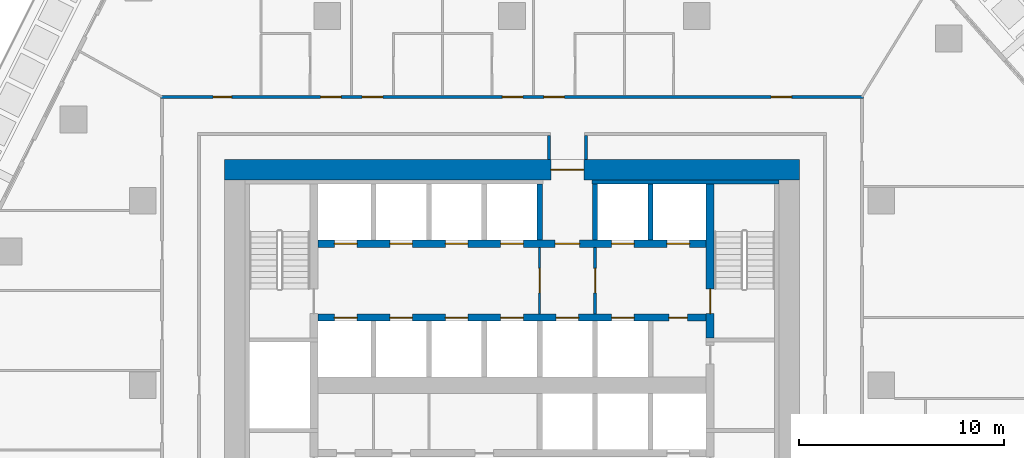
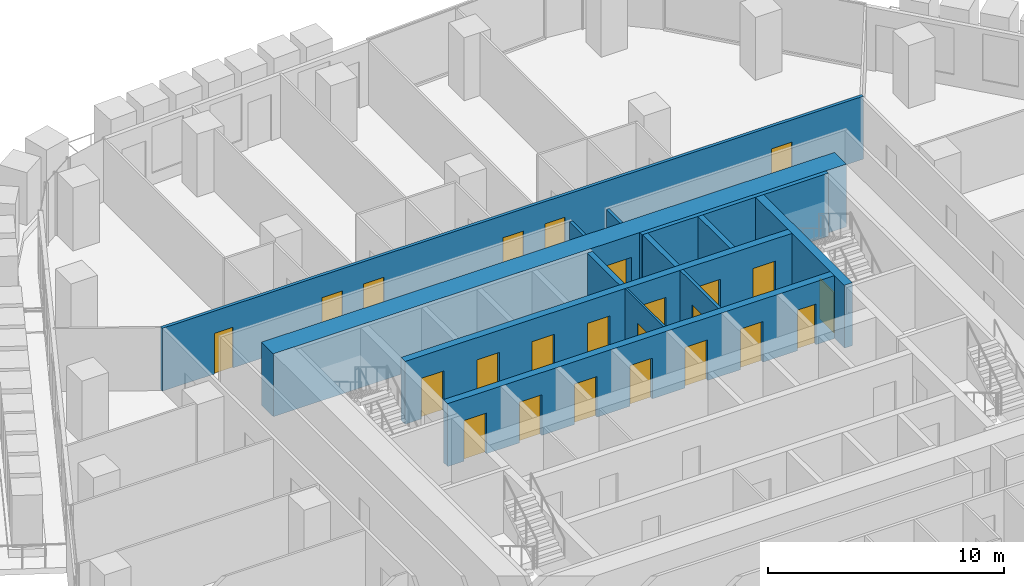
# One storey, part 16 of 24: 24 doors, 13 walls, 24 openings.
"""IFC4 building model written with IfcOpenShell, lengths in metres."""

from ifc_helpers import new_model, si_unit, direction, frame, frame_2d, origin, place, context, subcontext, project, spatial, rectangle, extrude, material, layer, layer_set, type_object, element, fill, save


model = new_model("IFC4")

# Units and contexts
model_context = context("Model", 3, precision=1e-05, world=origin(), true_north=direction((0.0, 1.0)))
body_context = subcontext(model_context, "Body", "Model", "MODEL_VIEW")
ifc_project = project(units=[si_unit("LENGTHUNIT", "METRE"), si_unit("AREAUNIT", "SQUARE_METRE"), si_unit("VOLUMEUNIT", "CUBIC_METRE"), si_unit("PLANEANGLEUNIT", "RADIAN"), si_unit("MASSUNIT", "GRAM", prefix="KILO")], contexts=[model_context])

# Site, building, storey
site_placement = place(None, origin())
site = spatial("IfcSite", under=ifc_project, at=site_placement, CompositionType="ELEMENT")
building_placement = place(site_placement, origin())
building = spatial("IfcBuilding", under=site, at=building_placement, Name="Dongbaek Canopy Tower", CompositionType="ELEMENT")
storey_placement = place(building_placement, frame((0.0, 0.0, 98.89990234375)))
storey = spatial("IfcBuildingStorey", under=building, at=storey_placement, Name="L20", CompositionType="ELEMENT", Elevation=98.89990234375)

# Wall, openings, doors
ifc_material_1 = material(Name="Concrete C60/75", Category="concrete")
ifc_layer_1 = layer(ifc_material_1, 0.35009765625)
ifc_layer_set_1 = layer_set([ifc_layer_1], Name="Core lobby wall 350 Concrete C60/75")
wall_type_1 = type_object("IfcWallType", Name="Core lobby wall 350 Concrete C60/75", PredefinedType="SHEAR", material=ifc_layer_set_1)
wall_1_placement = place(storey_placement, frame((-9.449951171875, 6.89990234375, 0.0), z_axis=(0.0, 0.0, 1.0), x_axis=(1.0, 0.0, 0.0)))
wall_1 = element("IfcWall", 1, at=wall_1_placement, inside=storey, type_object=wall_type_1, Name="Core wall", PredefinedType="SHEAR", context=body_context, shape_type="SweptSolid", body=[
    extrude(rectangle(XDim=18.89990234375, YDim=0.35009765625, at=frame_2d((9.449951171875, 0.0))), origin(), (0.0, 0.0, 1.0), 3.25),
])
opening_1_placement = place(wall_1_placement, frame((0.800048828125, 0.0, 0.0)))
opening_1 = element("IfcOpeningElement", 2, at=opening_1_placement, cuts=wall_1, Name="Opening L20-D042", PredefinedType="OPENING", context=body_context, shape_type="SweptSolid", body=[
    extrude(rectangle(XDim=1.10009765625, YDim=2.10009765625, at=frame_2d((0.550048828125, 1.050048828125))), frame((0.0, 0.18505859375, 0.0), z_axis=(0.0, -1.0, 0.0), x_axis=(1.0, 0.0, 0.0)), (0.0, 0.0, 1.0), 0.3701171875),
])
opening_2_placement = place(wall_1_placement, frame((3.5, 0.0, 0.0)))
opening_2 = element("IfcOpeningElement", 3, at=opening_2_placement, cuts=wall_1, Name="Opening L20-D043", PredefinedType="OPENING", context=body_context, shape_type="SweptSolid", body=[
    extrude(rectangle(XDim=1.10009765625, YDim=2.10009765625, at=frame_2d((0.550048828125, 1.050048828125))), frame((0.0, 0.18505859375, 0.0), z_axis=(0.0, -1.0, 0.0), x_axis=(1.0, 0.0, 0.0)), (0.0, 0.0, 1.0), 0.3701171875),
])
opening_3_placement = place(wall_1_placement, frame((6.199951171875, 0.0, 0.0)))
opening_3 = element("IfcOpeningElement", 4, at=opening_3_placement, cuts=wall_1, Name="Opening L20-D044", PredefinedType="OPENING", context=body_context, shape_type="SweptSolid", body=[
    extrude(rectangle(XDim=1.10009765625, YDim=2.10009765625, at=frame_2d((0.550048828125, 1.050048828125))), frame((0.0, 0.18505859375, 0.0), z_axis=(0.0, -1.0, 0.0), x_axis=(1.0, 0.0, 0.0)), (0.0, 0.0, 1.0), 0.3701171875),
])
opening_4_placement = place(wall_1_placement, frame((8.89990234375, 0.0, 0.0)))
opening_4 = element("IfcOpeningElement", 5, at=opening_4_placement, cuts=wall_1, Name="Opening L20-D045", PredefinedType="OPENING", context=body_context, shape_type="SweptSolid", body=[
    extrude(rectangle(XDim=1.10009765625, YDim=2.10009765625, at=frame_2d((0.550048828125, 1.050048828125))), frame((0.0, 0.18505859375, 0.0), z_axis=(0.0, -1.0, 0.0), x_axis=(1.0, 0.0, 0.0)), (0.0, 0.0, 1.0), 0.3701171875),
])
opening_5_placement = place(wall_1_placement, frame((11.550048828125, 0.0, 0.0)))
opening_5 = element("IfcOpeningElement", 6, at=opening_5_placement, cuts=wall_1, Name="Opening L20-D047", PredefinedType="OPENING", context=body_context, shape_type="SweptSolid", body=[
    extrude(rectangle(XDim=1.199951171875, YDim=2.10009765625, at=frame_2d((0.60009765625, 1.050048828125))), frame((0.0, 0.18505859375, 0.0), z_axis=(0.0, -1.0, 0.0), x_axis=(1.0, 0.0, 0.0)), (0.0, 0.0, 1.0), 0.3701171875),
])
opening_6_placement = place(wall_1_placement, frame((14.300048828125, 0.0, 0.0)))
opening_6 = element("IfcOpeningElement", 7, at=opening_6_placement, cuts=wall_1, Name="Opening L20-D048", PredefinedType="OPENING", context=body_context, shape_type="SweptSolid", body=[
    extrude(rectangle(XDim=1.10009765625, YDim=2.10009765625, at=frame_2d((0.550048828125, 1.050048828125))), frame((0.0, 0.18505859375, 0.0), z_axis=(0.0, -1.0, 0.0), x_axis=(1.0, 0.0, 0.0)), (0.0, 0.0, 1.0), 0.3701171875),
])
opening_7_placement = place(wall_1_placement, frame((17.0, 0.0, 0.0)))
opening_7 = element("IfcOpeningElement", 8, at=opening_7_placement, cuts=wall_1, Name="Opening L20-D049", PredefinedType="OPENING", context=body_context, shape_type="SweptSolid", body=[
    extrude(rectangle(XDim=1.10009765625, YDim=2.10009765625, at=frame_2d((0.550048828125, 1.050048828125))), frame((0.0, 0.18505859375, 0.0), z_axis=(0.0, -1.0, 0.0), x_axis=(1.0, 0.0, 0.0)), (0.0, 0.0, 1.0), 0.3701171875),
])
ifc_material_2 = material(Name="Steel", Category="steel")
door_type_1 = type_object("IfcDoorType", Name="Fire lobby door 1200 x 2100", OperationType="SINGLE_SWING_LEFT", PredefinedType="DOOR", material=ifc_material_2)
door_1_placement = place(opening_5_placement, origin())
door_1 = element("IfcDoor", 9, at=door_1_placement, inside=storey, type_object=door_type_1, Name="Door L20-D047", OperationType="SINGLE_SWING_LEFT", OverallHeight=2.10009765625, OverallWidth=1.199951171875, PredefinedType="DOOR", context=body_context, shape_type="SweptSolid", body=[
    extrude(rectangle(XDim=1.199951171875, YDim=2.10009765625, at=frame_2d((0.60009765625, 1.050048828125))), frame((0.0, 0.02490234375, 0.0), z_axis=(0.0, -1.0, 0.0), x_axis=(1.0, 0.0, 0.0)), (0.0, 0.0, 1.0), 0.050048828125),
])
fill(opening_5, door_1)
ifc_material_3 = material(Name="Stainless steel", Category="steel")
door_type_2 = type_object("IfcDoorType", Name="Lift landing door 1100 x 2100", OperationType="DOUBLE_DOOR_SLIDING", PredefinedType="DOOR", material=ifc_material_3)
door_2_placement = place(opening_1_placement, origin())
door_2 = element("IfcDoor", 10, at=door_2_placement, inside=storey, type_object=door_type_2, Name="Landing door LR1", OperationType="DOUBLE_DOOR_SLIDING", OverallHeight=2.10009765625, OverallWidth=1.10009765625, PredefinedType="DOOR", context=body_context, shape_type="SweptSolid", body=[
    extrude(rectangle(XDim=1.10009765625, YDim=2.10009765625, at=frame_2d((0.550048828125, 1.050048828125))), frame((0.0, 0.02490234375, 0.0), z_axis=(0.0, -1.0, 0.0), x_axis=(1.0, 0.0, 0.0)), (0.0, 0.0, 1.0), 0.050048828125),
])
fill(opening_1, door_2)
door_3_placement = place(opening_2_placement, origin())
door_3 = element("IfcDoor", 11, at=door_3_placement, inside=storey, type_object=door_type_2, Name="Landing door LR2", OperationType="DOUBLE_DOOR_SLIDING", OverallHeight=2.10009765625, OverallWidth=1.10009765625, PredefinedType="DOOR", context=body_context, shape_type="SweptSolid", body=[
    extrude(rectangle(XDim=1.10009765625, YDim=2.10009765625, at=frame_2d((0.550048828125, 1.050048828125))), frame((0.0, 0.02490234375, 0.0), z_axis=(0.0, -1.0, 0.0), x_axis=(1.0, 0.0, 0.0)), (0.0, 0.0, 1.0), 0.050048828125),
])
fill(opening_2, door_3)
door_4_placement = place(opening_3_placement, origin())
door_4 = element("IfcDoor", 12, at=door_4_placement, inside=storey, type_object=door_type_2, Name="Landing door LR3", OperationType="DOUBLE_DOOR_SLIDING", OverallHeight=2.10009765625, OverallWidth=1.10009765625, PredefinedType="DOOR", context=body_context, shape_type="SweptSolid", body=[
    extrude(rectangle(XDim=1.10009765625, YDim=2.10009765625, at=frame_2d((0.550048828125, 1.050048828125))), frame((0.0, 0.02490234375, 0.0), z_axis=(0.0, -1.0, 0.0), x_axis=(1.0, 0.0, 0.0)), (0.0, 0.0, 1.0), 0.050048828125),
])
fill(opening_3, door_4)
door_5_placement = place(opening_4_placement, origin())
door_5 = element("IfcDoor", 13, at=door_5_placement, inside=storey, type_object=door_type_2, Name="Landing door LR4", OperationType="DOUBLE_DOOR_SLIDING", OverallHeight=2.10009765625, OverallWidth=1.10009765625, PredefinedType="DOOR", context=body_context, shape_type="SweptSolid", body=[
    extrude(rectangle(XDim=1.10009765625, YDim=2.10009765625, at=frame_2d((0.550048828125, 1.050048828125))), frame((0.0, 0.02490234375, 0.0), z_axis=(0.0, -1.0, 0.0), x_axis=(1.0, 0.0, 0.0)), (0.0, 0.0, 1.0), 0.050048828125),
])
fill(opening_4, door_5)
door_6_placement = place(opening_6_placement, origin())
door_6 = element("IfcDoor", 14, at=door_6_placement, inside=storey, type_object=door_type_2, Name="Landing door FF1", OperationType="DOUBLE_DOOR_SLIDING", OverallHeight=2.10009765625, OverallWidth=1.10009765625, PredefinedType="DOOR", context=body_context, shape_type="SweptSolid", body=[
    extrude(rectangle(XDim=1.10009765625, YDim=2.10009765625, at=frame_2d((0.550048828125, 1.050048828125))), frame((0.0, 0.02490234375, 0.0), z_axis=(0.0, -1.0, 0.0), x_axis=(1.0, 0.0, 0.0)), (0.0, 0.0, 1.0), 0.050048828125),
])
fill(opening_6, door_6)
door_7_placement = place(opening_7_placement, origin())
door_7 = element("IfcDoor", 15, at=door_7_placement, inside=storey, type_object=door_type_2, Name="Landing door FF2", OperationType="DOUBLE_DOOR_SLIDING", OverallHeight=2.10009765625, OverallWidth=1.10009765625, PredefinedType="DOOR", context=body_context, shape_type="SweptSolid", body=[
    extrude(rectangle(XDim=1.10009765625, YDim=2.10009765625, at=frame_2d((0.550048828125, 1.050048828125))), frame((0.0, 0.02490234375, 0.0), z_axis=(0.0, -1.0, 0.0), x_axis=(1.0, 0.0, 0.0)), (0.0, 0.0, 1.0), 0.050048828125),
])
fill(opening_7, door_7)

wall_2_placement = place(storey_placement, frame((9.449951171875, 3.300048828125, 0.0), z_axis=(0.0, 0.0, 1.0), x_axis=(-1.0, 0.0, 0.0)))
wall_2 = element("IfcWall", 16, at=wall_2_placement, inside=storey, type_object=wall_type_1, Name="Core wall", PredefinedType="SHEAR", context=body_context, shape_type="SweptSolid", body=[
    extrude(rectangle(XDim=18.89990234375, YDim=0.35009765625, at=frame_2d((9.449951171875, 0.0))), origin(), (0.0, 0.0, 1.0), 3.25),
])
opening_8_placement = place(wall_2_placement, frame((17.0, 0.0, 0.0)))
opening_8 = element("IfcOpeningElement", 17, at=opening_8_placement, cuts=wall_2, Name="Opening L20-D050", PredefinedType="OPENING", context=body_context, shape_type="SweptSolid", body=[
    extrude(rectangle(XDim=1.10009765625, YDim=2.10009765625, at=frame_2d((0.550048828125, 1.050048828125))), frame((0.0, 0.18505859375, 0.0), z_axis=(0.0, -1.0, 0.0), x_axis=(1.0, 0.0, 0.0)), (0.0, 0.0, 1.0), 0.3701171875),
])
opening_9_placement = place(wall_2_placement, frame((14.300048828125, 0.0, 0.0)))
opening_9 = element("IfcOpeningElement", 18, at=opening_9_placement, cuts=wall_2, Name="Opening L20-D051", PredefinedType="OPENING", context=body_context, shape_type="SweptSolid", body=[
    extrude(rectangle(XDim=1.10009765625, YDim=2.10009765625, at=frame_2d((0.550048828125, 1.050048828125))), frame((0.0, 0.18505859375, 0.0), z_axis=(0.0, -1.0, 0.0), x_axis=(1.0, 0.0, 0.0)), (0.0, 0.0, 1.0), 0.3701171875),
])
opening_10_placement = place(wall_2_placement, frame((11.60009765625, 0.0, 0.0)))
opening_10 = element("IfcOpeningElement", 19, at=opening_10_placement, cuts=wall_2, Name="Opening L20-D052", PredefinedType="OPENING", context=body_context, shape_type="SweptSolid", body=[
    extrude(rectangle(XDim=1.10009765625, YDim=2.10009765625, at=frame_2d((0.550048828125, 1.050048828125))), frame((0.0, 0.18505859375, 0.0), z_axis=(0.0, -1.0, 0.0), x_axis=(1.0, 0.0, 0.0)), (0.0, 0.0, 1.0), 0.3701171875),
])
opening_11_placement = place(wall_2_placement, frame((8.89990234375, 0.0, 0.0)))
opening_11 = element("IfcOpeningElement", 20, at=opening_11_placement, cuts=wall_2, Name="Opening L20-D053", PredefinedType="OPENING", context=body_context, shape_type="SweptSolid", body=[
    extrude(rectangle(XDim=1.10009765625, YDim=2.10009765625, at=frame_2d((0.550048828125, 1.050048828125))), frame((0.0, 0.18505859375, 0.0), z_axis=(0.0, -1.0, 0.0), x_axis=(1.0, 0.0, 0.0)), (0.0, 0.0, 1.0), 0.3701171875),
])
opening_12_placement = place(wall_2_placement, frame((6.199951171875, 0.0, 0.0)))
opening_12 = element("IfcOpeningElement", 21, at=opening_12_placement, cuts=wall_2, Name="Opening L20-D054", PredefinedType="OPENING", context=body_context, shape_type="SweptSolid", body=[
    extrude(rectangle(XDim=1.10009765625, YDim=2.10009765625, at=frame_2d((0.550048828125, 1.050048828125))), frame((0.0, 0.18505859375, 0.0), z_axis=(0.0, -1.0, 0.0), x_axis=(1.0, 0.0, 0.0)), (0.0, 0.0, 1.0), 0.3701171875),
])
opening_13_placement = place(wall_2_placement, frame((3.5, 0.0, 0.0)))
opening_13 = element("IfcOpeningElement", 22, at=opening_13_placement, cuts=wall_2, Name="Opening L20-D055", PredefinedType="OPENING", context=body_context, shape_type="SweptSolid", body=[
    extrude(rectangle(XDim=1.10009765625, YDim=2.10009765625, at=frame_2d((0.550048828125, 1.050048828125))), frame((0.0, 0.18505859375, 0.0), z_axis=(0.0, -1.0, 0.0), x_axis=(1.0, 0.0, 0.0)), (0.0, 0.0, 1.0), 0.3701171875),
])
opening_14_placement = place(wall_2_placement, frame((0.89990234375, 0.0, 0.0)))
opening_14 = element("IfcOpeningElement", 23, at=opening_14_placement, cuts=wall_2, Name="Opening L20-D056", PredefinedType="OPENING", context=body_context, shape_type="SweptSolid", body=[
    extrude(rectangle(XDim=0.89990234375, YDim=2.10009765625, at=frame_2d((0.449951171875, 1.050048828125))), frame((0.0, 0.18505859375, 0.0), z_axis=(0.0, -1.0, 0.0), x_axis=(1.0, 0.0, 0.0)), (0.0, 0.0, 1.0), 0.3701171875),
])
ifc_material_4 = material(Name="Steel", Category="steel")
door_type_3 = type_object("IfcDoorType", Name="Core room door 900 x 2100", OperationType="SINGLE_SWING_LEFT", PredefinedType="DOOR", material=ifc_material_4)
door_8_placement = place(opening_14_placement, origin())
door_8 = element("IfcDoor", 24, at=door_8_placement, inside=storey, type_object=door_type_3, Name="Door L20-D056", OperationType="SINGLE_SWING_LEFT", OverallHeight=2.10009765625, OverallWidth=0.89990234375, PredefinedType="DOOR", context=body_context, shape_type="SweptSolid", body=[
    extrude(rectangle(XDim=0.89990234375, YDim=2.10009765625, at=frame_2d((0.449951171875, 1.050048828125))), frame((0.0, 0.02490234375, 0.0), z_axis=(0.0, -1.0, 0.0), x_axis=(1.0, 0.0, 0.0)), (0.0, 0.0, 1.0), 0.050048828125),
])
fill(opening_14, door_8)
door_9_placement = place(opening_8_placement, origin())
door_9 = element("IfcDoor", 25, at=door_9_placement, inside=storey, type_object=door_type_2, Name="Landing door LR5", OperationType="DOUBLE_DOOR_SLIDING", OverallHeight=2.10009765625, OverallWidth=1.10009765625, PredefinedType="DOOR", context=body_context, shape_type="SweptSolid", body=[
    extrude(rectangle(XDim=1.10009765625, YDim=2.10009765625, at=frame_2d((0.550048828125, 1.050048828125))), frame((0.0, 0.02490234375, 0.0), z_axis=(0.0, -1.0, 0.0), x_axis=(1.0, 0.0, 0.0)), (0.0, 0.0, 1.0), 0.050048828125),
])
fill(opening_8, door_9)
door_10_placement = place(opening_9_placement, origin())
door_10 = element("IfcDoor", 26, at=door_10_placement, inside=storey, type_object=door_type_2, Name="Landing door LR6", OperationType="DOUBLE_DOOR_SLIDING", OverallHeight=2.10009765625, OverallWidth=1.10009765625, PredefinedType="DOOR", context=body_context, shape_type="SweptSolid", body=[
    extrude(rectangle(XDim=1.10009765625, YDim=2.10009765625, at=frame_2d((0.550048828125, 1.050048828125))), frame((0.0, 0.02490234375, 0.0), z_axis=(0.0, -1.0, 0.0), x_axis=(1.0, 0.0, 0.0)), (0.0, 0.0, 1.0), 0.050048828125),
])
fill(opening_9, door_10)
door_11_placement = place(opening_10_placement, origin())
door_11 = element("IfcDoor", 27, at=door_11_placement, inside=storey, type_object=door_type_2, Name="Landing door LR7", OperationType="DOUBLE_DOOR_SLIDING", OverallHeight=2.10009765625, OverallWidth=1.10009765625, PredefinedType="DOOR", context=body_context, shape_type="SweptSolid", body=[
    extrude(rectangle(XDim=1.10009765625, YDim=2.10009765625, at=frame_2d((0.550048828125, 1.050048828125))), frame((0.0, 0.02490234375, 0.0), z_axis=(0.0, -1.0, 0.0), x_axis=(1.0, 0.0, 0.0)), (0.0, 0.0, 1.0), 0.050048828125),
])
fill(opening_10, door_11)
door_12_placement = place(opening_11_placement, origin())
door_12 = element("IfcDoor", 28, at=door_12_placement, inside=storey, type_object=door_type_2, Name="Landing door LR8", OperationType="DOUBLE_DOOR_SLIDING", OverallHeight=2.10009765625, OverallWidth=1.10009765625, PredefinedType="DOOR", context=body_context, shape_type="SweptSolid", body=[
    extrude(rectangle(XDim=1.10009765625, YDim=2.10009765625, at=frame_2d((0.550048828125, 1.050048828125))), frame((0.0, 0.02490234375, 0.0), z_axis=(0.0, -1.0, 0.0), x_axis=(1.0, 0.0, 0.0)), (0.0, 0.0, 1.0), 0.050048828125),
])
fill(opening_11, door_12)
door_13_placement = place(opening_12_placement, origin())
door_13 = element("IfcDoor", 29, at=door_13_placement, inside=storey, type_object=door_type_2, Name="Landing door SV1", OperationType="DOUBLE_DOOR_SLIDING", OverallHeight=2.10009765625, OverallWidth=1.10009765625, PredefinedType="DOOR", context=body_context, shape_type="SweptSolid", body=[
    extrude(rectangle(XDim=1.10009765625, YDim=2.10009765625, at=frame_2d((0.550048828125, 1.050048828125))), frame((0.0, 0.02490234375, 0.0), z_axis=(0.0, -1.0, 0.0), x_axis=(1.0, 0.0, 0.0)), (0.0, 0.0, 1.0), 0.050048828125),
])
fill(opening_12, door_13)
door_14_placement = place(opening_13_placement, origin())
door_14 = element("IfcDoor", 30, at=door_14_placement, inside=storey, type_object=door_type_2, Name="Landing door FF3", OperationType="DOUBLE_DOOR_SLIDING", OverallHeight=2.10009765625, OverallWidth=1.10009765625, PredefinedType="DOOR", context=body_context, shape_type="SweptSolid", body=[
    extrude(rectangle(XDim=1.10009765625, YDim=2.10009765625, at=frame_2d((0.550048828125, 1.050048828125))), frame((0.0, 0.02490234375, 0.0), z_axis=(0.0, -1.0, 0.0), x_axis=(1.0, 0.0, 0.0)), (0.0, 0.0, 1.0), 0.050048828125),
])
fill(opening_13, door_14)

# Wall, opening, door
ifc_material_5 = material(Name="Concrete C60/75", Category="concrete")
ifc_layer_2 = layer(ifc_material_5, 1.0)
ifc_layer_set_2 = layer_set([ifc_layer_2], Name="Core outer wall 1000 Concrete C60/75")
wall_type_2 = type_object("IfcWallType", Name="Core outer wall 1000 Concrete C60/75", PredefinedType="SHEAR", material=ifc_layer_set_2)
wall_3_placement = place(storey_placement, frame((-14.0, 10.5, 0.0), z_axis=(0.0, 0.0, 1.0), x_axis=(1.0, 0.0, 0.0)))
wall_3 = element("IfcWall", 31, at=wall_3_placement, inside=storey, type_object=wall_type_2, Name="Core wall", PredefinedType="SHEAR", context=body_context, shape_type="SweptSolid", body=[
    extrude(rectangle(XDim=28.0, YDim=1.0, at=frame_2d((14.0, 0.0))), origin(), (0.0, 0.0, 1.0), 3.25),
])
opening_15_placement = place(wall_3_placement, frame((15.89990234375, 0.0, 0.0)))
opening_15 = element("IfcOpeningElement", 32, at=opening_15_placement, cuts=wall_3, Name="Opening L20-D046", PredefinedType="OPENING", context=body_context, shape_type="SweptSolid", body=[
    extrude(rectangle(XDim=1.60009765625, YDim=2.10009765625, at=frame_2d((0.800048828125, 1.050048828125))), frame((0.0, 0.510009765625, 0.0), z_axis=(0.0, -1.0, 0.0), x_axis=(1.0, 0.0, 0.0)), (0.0, 0.0, 1.0), 1.02001953125),
])
ifc_material_6 = material(Name="Steel", Category="steel")
door_type_4 = type_object("IfcDoorType", Name="Core exit door 1600 x 2100", OperationType="DOUBLE_DOOR_SINGLE_SWING", PredefinedType="DOOR", material=ifc_material_6)
door_15_placement = place(opening_15_placement, origin())
door_15 = element("IfcDoor", 33, at=door_15_placement, inside=storey, type_object=door_type_4, Name="Core exit door", OperationType="DOUBLE_DOOR_SINGLE_SWING", OverallHeight=2.10009765625, OverallWidth=1.60009765625, PredefinedType="DOOR", context=body_context, shape_type="SweptSolid", body=[
    extrude(rectangle(XDim=1.60009765625, YDim=2.10009765625, at=frame_2d((0.800048828125, 1.050048828125))), frame((0.0, 0.02490234375, 0.0), z_axis=(0.0, -1.0, 0.0), x_axis=(1.0, 0.0, 0.0)), (0.0, 0.0, 1.0), 0.050048828125),
])
fill(opening_15, door_15)

# Wall
ifc_material_7 = material(Name="Concrete C60/75", Category="concrete")
ifc_layer_3 = layer(ifc_material_7, 0.199951171875)
ifc_layer_set_3 = layer_set([ifc_layer_3], Name="Core wall lining 200 Concrete C60/75")
wall_type_3 = type_object("IfcWallType", Name="Core wall lining 200 Concrete C60/75", PredefinedType="SHEAR", material=ifc_layer_set_3)
wall_4_placement = place(storey_placement, frame((3.89990234375, 9.89990234375, 0.0), z_axis=(0.0, 0.0, 1.0), x_axis=(1.0, 0.0, 0.0)))
element("IfcWall", 34, at=wall_4_placement, inside=storey, type_object=wall_type_3, Name="Core wall lining", PredefinedType="SHEAR", context=body_context, shape_type="SweptSolid", body=[
    extrude(rectangle(XDim=9.10009765625, YDim=0.199951171875, at=frame_2d((4.550048828125, 0.0))), origin(), (0.0, 0.0, 1.0), 3.25),
])

# Wall, openings, doors
ifc_material_8 = material(Name="Gypsum board partition, steel stud, 2 x 15 mm fire board", Category="steel")
ifc_layer_4 = layer(ifc_material_8, 0.14990234375)
ifc_layer_set_4 = layer_set([ifc_layer_4], Name="Fire-rated partition 150 gypsum board")
wall_type_4 = type_object("IfcWallType", Name="Fire-rated partition 150 gypsum board", PredefinedType="PARTITIONING", material=ifc_layer_set_4)
wall_5_placement = place(storey_placement, frame((-17.125, 14.050048828125, 0.0), z_axis=(0.0, 0.0, 1.0), x_axis=(1.0, 0.0, 0.0)))
wall_5 = element("IfcWall", 35, at=wall_5_placement, inside=storey, type_object=wall_type_4, Name="Corridor partition", PredefinedType="PARTITIONING", context=body_context, shape_type="SweptSolid", body=[
    extrude(rectangle(XDim=34.25, YDim=0.14990234375, at=frame_2d((17.125, 0.0))), origin(), (0.0, 0.0, 1.0), 3.25),
])
opening_16_placement = place(wall_5_placement, frame((29.757080078125, 0.0, 0.0)))
opening_16 = element("IfcOpeningElement", 36, at=opening_16_placement, cuts=wall_5, Name="Opening L20-D026", PredefinedType="OPENING", context=body_context, shape_type="SweptSolid", body=[
    extrude(rectangle(XDim=1.0, YDim=2.10009765625, at=frame_2d((0.5, 1.050048828125))), frame((0.0, 0.0849609375, 0.0), z_axis=(0.0, -1.0, 0.0), x_axis=(1.0, 0.0, 0.0)), (0.0, 0.0, 1.0), 0.169921875),
])
opening_17_placement = place(wall_5_placement, frame((18.68212890625, 0.0, 0.0)))
opening_17 = element("IfcOpeningElement", 37, at=opening_17_placement, cuts=wall_5, Name="Opening L20-D028", PredefinedType="OPENING", context=body_context, shape_type="SweptSolid", body=[
    extrude(rectangle(XDim=1.0, YDim=2.10009765625, at=frame_2d((0.5, 1.050048828125))), frame((0.0, 0.0849609375, 0.0), z_axis=(0.0, -1.0, 0.0), x_axis=(1.0, 0.0, 0.0)), (0.0, 0.0, 1.0), 0.169921875),
])
opening_18_placement = place(wall_5_placement, frame((16.65380859375, 0.0, 0.0)))
opening_18 = element("IfcOpeningElement", 38, at=opening_18_placement, cuts=wall_5, Name="Opening L20-D030", PredefinedType="OPENING", context=body_context, shape_type="SweptSolid", body=[
    extrude(rectangle(XDim=1.0, YDim=2.10009765625, at=frame_2d((0.5, 1.050048828125))), frame((0.0, 0.0849609375, 0.0), z_axis=(0.0, -1.0, 0.0), x_axis=(1.0, 0.0, 0.0)), (0.0, 0.0, 1.0), 0.169921875),
])
opening_19_placement = place(wall_5_placement, frame((9.8271484375, 0.0, 0.0)))
opening_19 = element("IfcOpeningElement", 39, at=opening_19_placement, cuts=wall_5, Name="Opening L20-D032", PredefinedType="OPENING", context=body_context, shape_type="SweptSolid", body=[
    extrude(rectangle(XDim=1.0, YDim=2.10009765625, at=frame_2d((0.5, 1.050048828125))), frame((0.0, 0.0849609375, 0.0), z_axis=(0.0, -1.0, 0.0), x_axis=(1.0, 0.0, 0.0)), (0.0, 0.0, 1.0), 0.169921875),
])
opening_20_placement = place(wall_5_placement, frame((7.80029296875, 0.0, 0.0)))
opening_20 = element("IfcOpeningElement", 40, at=opening_20_placement, cuts=wall_5, Name="Opening L20-D034", PredefinedType="OPENING", context=body_context, shape_type="SweptSolid", body=[
    extrude(rectangle(XDim=1.0, YDim=2.10009765625, at=frame_2d((0.5, 1.050048828125))), frame((0.0, 0.0849609375, 0.0), z_axis=(0.0, -1.0, 0.0), x_axis=(1.0, 0.0, 0.0)), (0.0, 0.0, 1.0), 0.169921875),
])
opening_21_placement = place(wall_5_placement, frame((2.5595703125, 0.0, 0.0)))
opening_21 = element("IfcOpeningElement", 41, at=opening_21_placement, cuts=wall_5, Name="Opening L20-D035", PredefinedType="OPENING", context=body_context, shape_type="SweptSolid", body=[
    extrude(rectangle(XDim=0.89990234375, YDim=2.10009765625, at=frame_2d((0.449951171875, 1.050048828125))), frame((0.0, 0.0849609375, 0.0), z_axis=(0.0, -1.0, 0.0), x_axis=(1.0, 0.0, 0.0)), (0.0, 0.0, 1.0), 0.169921875),
])
ifc_material_9 = material(Name="Timber veneered door leaf", Category="wood")
door_type_5 = type_object("IfcDoorType", Name="Guest room door 1000 x 2100", OperationType="SINGLE_SWING_LEFT", PredefinedType="DOOR", material=ifc_material_9)
door_16_placement = place(opening_16_placement, origin())
door_16 = element("IfcDoor", 42, at=door_16_placement, inside=storey, type_object=door_type_5, Name="Door L20-D026", OperationType="SINGLE_SWING_LEFT", OverallHeight=2.10009765625, OverallWidth=1.0, PredefinedType="DOOR", context=body_context, shape_type="SweptSolid", body=[
    extrude(rectangle(XDim=1.0, YDim=2.10009765625, at=frame_2d((0.5, 1.050048828125))), frame((0.0, 0.02490234375, 0.0), z_axis=(0.0, -1.0, 0.0), x_axis=(1.0, 0.0, 0.0)), (0.0, 0.0, 1.0), 0.050048828125),
])
fill(opening_16, door_16)
door_17_placement = place(opening_17_placement, origin())
door_17 = element("IfcDoor", 43, at=door_17_placement, inside=storey, type_object=door_type_5, Name="Door L20-D028", OperationType="SINGLE_SWING_RIGHT", OverallHeight=2.10009765625, OverallWidth=1.0, PredefinedType="DOOR", context=body_context, shape_type="SweptSolid", body=[
    extrude(rectangle(XDim=1.0, YDim=2.10009765625, at=frame_2d((0.5, 1.050048828125))), frame((0.0, 0.02490234375, 0.0), z_axis=(0.0, -1.0, 0.0), x_axis=(1.0, 0.0, 0.0)), (0.0, 0.0, 1.0), 0.050048828125),
])
fill(opening_17, door_17)
door_18_placement = place(opening_18_placement, origin())
door_18 = element("IfcDoor", 44, at=door_18_placement, inside=storey, type_object=door_type_5, Name="Door L20-D030", OperationType="SINGLE_SWING_LEFT", OverallHeight=2.10009765625, OverallWidth=1.0, PredefinedType="DOOR", context=body_context, shape_type="SweptSolid", body=[
    extrude(rectangle(XDim=1.0, YDim=2.10009765625, at=frame_2d((0.5, 1.050048828125))), frame((0.0, 0.02490234375, 0.0), z_axis=(0.0, -1.0, 0.0), x_axis=(1.0, 0.0, 0.0)), (0.0, 0.0, 1.0), 0.050048828125),
])
fill(opening_18, door_18)
door_19_placement = place(opening_19_placement, origin())
door_19 = element("IfcDoor", 45, at=door_19_placement, inside=storey, type_object=door_type_5, Name="Door L20-D032", OperationType="SINGLE_SWING_RIGHT", OverallHeight=2.10009765625, OverallWidth=1.0, PredefinedType="DOOR", context=body_context, shape_type="SweptSolid", body=[
    extrude(rectangle(XDim=1.0, YDim=2.10009765625, at=frame_2d((0.5, 1.050048828125))), frame((0.0, 0.02490234375, 0.0), z_axis=(0.0, -1.0, 0.0), x_axis=(1.0, 0.0, 0.0)), (0.0, 0.0, 1.0), 0.050048828125),
])
fill(opening_19, door_19)
door_20_placement = place(opening_20_placement, origin())
door_20 = element("IfcDoor", 46, at=door_20_placement, inside=storey, type_object=door_type_5, Name="Door L20-D034", OperationType="SINGLE_SWING_LEFT", OverallHeight=2.10009765625, OverallWidth=1.0, PredefinedType="DOOR", context=body_context, shape_type="SweptSolid", body=[
    extrude(rectangle(XDim=1.0, YDim=2.10009765625, at=frame_2d((0.5, 1.050048828125))), frame((0.0, 0.02490234375, 0.0), z_axis=(0.0, -1.0, 0.0), x_axis=(1.0, 0.0, 0.0)), (0.0, 0.0, 1.0), 0.050048828125),
])
fill(opening_20, door_20)
ifc_material_10 = material(Name="Timber veneered door leaf", Category="wood")
door_type_6 = type_object("IfcDoorType", Name="Room door 900 x 2100", OperationType="SINGLE_SWING_LEFT", PredefinedType="DOOR", material=ifc_material_10)
door_21_placement = place(opening_21_placement, origin())
door_21 = element("IfcDoor", 47, at=door_21_placement, inside=storey, type_object=door_type_6, Name="Door L20-D035", OperationType="SINGLE_SWING_RIGHT", OverallHeight=2.10009765625, OverallWidth=0.89990234375, PredefinedType="DOOR", context=body_context, shape_type="SweptSolid", body=[
    extrude(rectangle(XDim=0.89990234375, YDim=2.10009765625, at=frame_2d((0.449951171875, 1.050048828125))), frame((0.0, 0.02490234375, 0.0), z_axis=(0.0, -1.0, 0.0), x_axis=(1.0, 0.0, 0.0)), (0.0, 0.0, 1.0), 0.050048828125),
])
fill(opening_21, door_21)

# Walls
for number, where, z_axis, x_axis, name in (
    (48, (3.60009765625, 11.0, 0.0), (0.0, 0.0, 1.0), (0.0, 1.0, 0.0), "Corridor partition"),
    (49, (1.800048828125, 11.0, 0.0), (0.0, 0.0, 1.0), (0.0, 1.0, 0.0), "Corridor partition"),
):
    element("IfcWall", number, at=place(storey_placement, frame(where, z_axis=z_axis, x_axis=x_axis)), inside=storey, type_object=wall_type_4, Name=name, PredefinedType="PARTITIONING", context=body_context, shape_type="SweptSolid", body=[
        extrude(rectangle(XDim=1.175048828125, YDim=0.14990234375, at=frame_2d((0.58740234375, 0.0))), origin(), (0.0, 0.0, 1.0), 3.25),
    ])

# Wall, opening, door
wall_6_placement = place(storey_placement, frame((4.050048828125, 6.72509765625, 0.0), z_axis=(0.0, 0.0, 1.0), x_axis=(0.0, -1.0, 0.0)))
wall_6 = element("IfcWall", 50, at=wall_6_placement, inside=storey, type_object=wall_type_4, Name="Fire lobby partition", PredefinedType="PARTITIONING", context=body_context, shape_type="SweptSolid", body=[
    extrude(rectangle(XDim=3.25, YDim=0.14990234375, at=frame_2d((1.625, 0.0))), origin(), (0.0, 0.0, 1.0), 3.25),
])
opening_22_placement = place(wall_6_placement, frame((1.02490234375, 0.0, 0.0)))
opening_22 = element("IfcOpeningElement", 51, at=opening_22_placement, cuts=wall_6, Name="Opening L20-D070", PredefinedType="OPENING", context=body_context, shape_type="SweptSolid", body=[
    extrude(rectangle(XDim=1.199951171875, YDim=2.10009765625, at=frame_2d((0.60009765625, 1.050048828125))), frame((0.0, 0.0849609375, 0.0), z_axis=(0.0, -1.0, 0.0), x_axis=(1.0, 0.0, 0.0)), (0.0, 0.0, 1.0), 0.169921875),
])
door_22_placement = place(opening_22_placement, origin())
door_22 = element("IfcDoor", 52, at=door_22_placement, inside=storey, type_object=door_type_1, Name="Door L20-D070", OperationType="SINGLE_SWING_RIGHT", OverallHeight=2.10009765625, OverallWidth=1.199951171875, PredefinedType="DOOR", context=body_context, shape_type="SweptSolid", body=[
    extrude(rectangle(XDim=1.199951171875, YDim=2.10009765625, at=frame_2d((0.60009765625, 1.050048828125))), frame((0.0, 0.02490234375, 0.0), z_axis=(0.0, -1.0, 0.0), x_axis=(1.0, 0.0, 0.0)), (0.0, 0.0, 1.0), 0.050048828125),
])
fill(opening_22, door_22)

# Walls
ifc_material_11 = material(Name="Concrete C40/50", Category="concrete")
ifc_layer_5 = layer(ifc_material_11, 0.25)
ifc_layer_set_5 = layer_set([ifc_layer_5], Name="Lift shaft wall 250 Concrete C40/50")
wall_type_5 = type_object("IfcWallType", Name="Lift shaft wall 250 Concrete C40/50", PredefinedType="SOLIDWALL", material=ifc_layer_set_5)
for number, where, z_axis, x_axis, name in (
    (53, (6.75, 7.074951171875, 0.0), (0.0, 0.0, 1.0), (0.0, 1.0, 0.0), "Lift shaft wall"),
    (54, (4.050048828125, 7.074951171875, 0.0), (0.0, 0.0, 1.0), (0.0, 1.0, 0.0), "Lift shaft wall"),
    (55, (1.35009765625, 7.074951171875, 0.0), (0.0, 0.0, 1.0), (0.0, 1.0, 0.0), "Lift shaft wall"),
):
    element("IfcWall", number, at=place(storey_placement, frame(where, z_axis=z_axis, x_axis=x_axis)), inside=storey, type_object=wall_type_5, Name=name, PredefinedType="SOLIDWALL", context=body_context, shape_type="SweptSolid", body=[
        extrude(rectangle(XDim=2.72509765625, YDim=0.25, at=frame_2d((1.362548828125, 0.0))), origin(), (0.0, 0.0, 1.0), 3.25),
    ])

# Wall, opening, door
ifc_material_12 = material(Name="Gypsum board partition, steel stud, 2 x 12.5 mm board", Category="steel")
ifc_layer_6 = layer(ifc_material_12, 0.10009765625)
ifc_layer_set_6 = layer_set([ifc_layer_6], Name="Partition 100 gypsum board")
wall_type_6 = type_object("IfcWallType", Name="Partition 100 gypsum board", PredefinedType="PARTITIONING", material=ifc_layer_set_6)
wall_7_placement = place(storey_placement, frame((1.35009765625, 6.72509765625, 0.0), z_axis=(0.0, 0.0, 1.0), x_axis=(0.0, -1.0, 0.0)))
wall_7 = element("IfcWall", 56, at=wall_7_placement, inside=storey, type_object=wall_type_6, Name="Core partition", PredefinedType="PARTITIONING", context=body_context, shape_type="SweptSolid", body=[
    extrude(rectangle(XDim=3.25, YDim=0.10009765625, at=frame_2d((1.625, 0.0))), origin(), (0.0, 0.0, 1.0), 3.25),
])
opening_23_placement = place(wall_7_placement, frame((1.02490234375, 0.0, 0.0)))
opening_23 = element("IfcOpeningElement", 57, at=opening_23_placement, cuts=wall_7, Name="Opening L20-D069", PredefinedType="OPENING", context=body_context, shape_type="SweptSolid", body=[
    extrude(rectangle(XDim=1.199951171875, YDim=2.10009765625, at=frame_2d((0.60009765625, 1.050048828125))), frame((0.0, 0.06005859375, 0.0), z_axis=(0.0, -1.0, 0.0), x_axis=(1.0, 0.0, 0.0)), (0.0, 0.0, 1.0), 0.1201171875),
])
door_23_placement = place(opening_23_placement, origin())
door_23 = element("IfcDoor", 58, at=door_23_placement, inside=storey, type_object=door_type_1, Name="Door L20-D069", OperationType="SINGLE_SWING_LEFT", OverallHeight=2.10009765625, OverallWidth=1.199951171875, PredefinedType="DOOR", context=body_context, shape_type="SweptSolid", body=[
    extrude(rectangle(XDim=1.199951171875, YDim=2.10009765625, at=frame_2d((0.60009765625, 1.050048828125))), frame((0.0, 0.02490234375, 0.0), z_axis=(0.0, -1.0, 0.0), x_axis=(1.0, 0.0, 0.0)), (0.0, 0.0, 1.0), 0.050048828125),
])
fill(opening_23, door_23)

ifc_material_13 = material(Name="Concrete C60/75", Category="concrete")
ifc_layer_7 = layer(ifc_material_13, 0.39990234375)
ifc_layer_set_7 = layer_set([ifc_layer_7], Name="Stair wall 400 Concrete C60/75")
wall_type_7 = type_object("IfcWallType", Name="Stair wall 400 Concrete C60/75", PredefinedType="SHEAR", material=ifc_layer_set_7)
wall_8_placement = place(storey_placement, frame((9.64990234375, 9.800048828125, 0.0), z_axis=(0.0, 0.0, 1.0), x_axis=(0.0, -1.0, 0.0)))
wall_8 = element("IfcWall", 59, at=wall_8_placement, inside=storey, type_object=wall_type_7, Name="Stair wall", PredefinedType="SHEAR", context=body_context, shape_type="SweptSolid", body=[
    extrude(rectangle(XDim=7.5, YDim=0.39990234375, at=frame_2d((3.75, 0.0))), origin(), (0.0, 0.0, 1.0), 3.25),
])
opening_24_placement = place(wall_8_placement, frame((5.10009765625, 0.0, 0.0)))
opening_24 = element("IfcOpeningElement", 60, at=opening_24_placement, cuts=wall_8, Name="Opening L20-D065", PredefinedType="OPENING", context=body_context, shape_type="SweptSolid", body=[
    extrude(rectangle(XDim=1.199951171875, YDim=2.10009765625, at=frame_2d((0.60009765625, 1.050048828125))), frame((0.0, 0.2099609375, 0.0), z_axis=(0.0, -1.0, 0.0), x_axis=(1.0, 0.0, 0.0)), (0.0, 0.0, 1.0), 0.419921875),
])
ifc_material_14 = material(Name="Steel", Category="steel")
door_type_7 = type_object("IfcDoorType", Name="Stair door 1200 x 2100", OperationType="SINGLE_SWING_LEFT", PredefinedType="DOOR", material=ifc_material_14)
door_24_placement = place(opening_24_placement, origin())
door_24 = element("IfcDoor", 61, at=door_24_placement, inside=storey, type_object=door_type_7, Name="Stair A door", OperationType="SINGLE_SWING_LEFT", OverallHeight=2.10009765625, OverallWidth=1.199951171875, PredefinedType="DOOR", context=body_context, shape_type="SweptSolid", body=[
    extrude(rectangle(XDim=1.199951171875, YDim=2.10009765625, at=frame_2d((0.60009765625, 1.050048828125))), frame((0.0, 0.02490234375, 0.0), z_axis=(0.0, -1.0, 0.0), x_axis=(1.0, 0.0, 0.0)), (0.0, 0.0, 1.0), 0.050048828125),
])
fill(opening_24, door_24)

save(model, "model.ifc")
